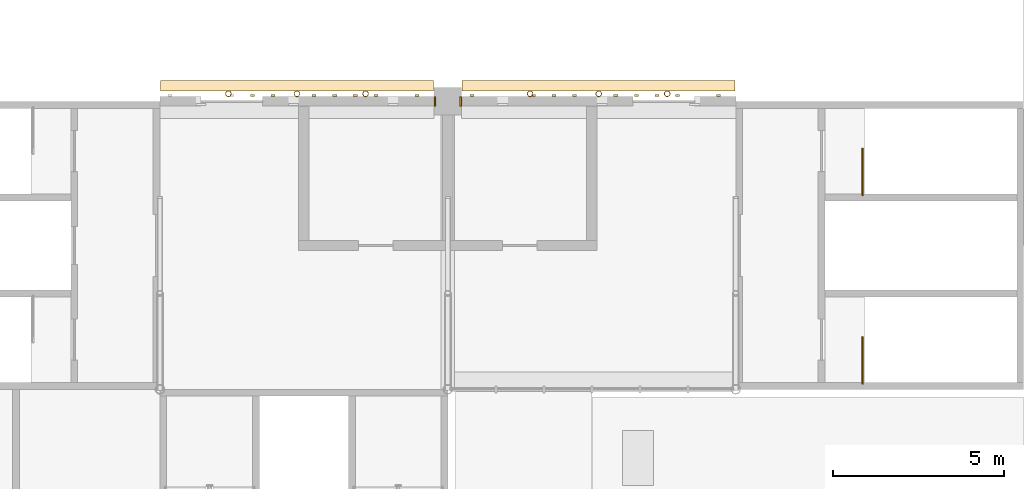
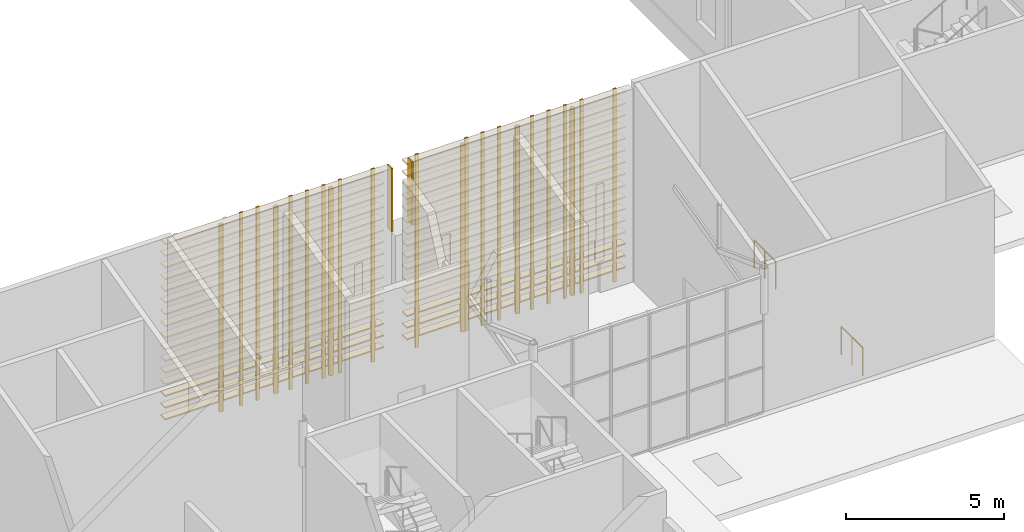
# One storey, part 80 of 101: 34 coverings, 22 shading devices, 2 railings.
"""IFC4 building model written with IfcOpenShell, lengths in metres."""

from ifc_helpers import new_model, si_unit, direction, frame, origin, origin_2d, place, context, subcontext, project, spatial, rectangle, circle, hollow_circle, extrude, material, layer, layer_set, material_profile, profile_set, type_object, element, save


model = new_model("IFC4")

# Units and contexts
model_context = context("Model", 3, precision=1e-05, world=origin(), true_north=direction((0.0, 1.0)))
body_context = subcontext(model_context, "Body", "Model", "MODEL_VIEW")
ifc_project = project(units=[si_unit("LENGTHUNIT", "METRE"), si_unit("AREAUNIT", "SQUARE_METRE"), si_unit("VOLUMEUNIT", "CUBIC_METRE"), si_unit("PLANEANGLEUNIT", "RADIAN"), si_unit("MASSUNIT", "GRAM", prefix="KILO")], contexts=[model_context])

# Site, building, storey
site_placement = place(None, origin())
site = spatial("IfcSite", under=ifc_project, at=site_placement, CompositionType="ELEMENT")
building_placement = place(site_placement, origin())
building = spatial("IfcBuilding", under=site, at=building_placement, Name="Almond Square Museum", CompositionType="ELEMENT")
storey_placement = place(building_placement, frame((0.0, 0.0, 5.5)))
storey = spatial("IfcBuildingStorey", under=building, at=storey_placement, Name="L01", CompositionType="ELEMENT", Elevation=5.5)

# Shading devices
ifc_material_1 = material(Name="Structural steel S355", Category="steel")
ifc_material_profile_1 = material_profile(ifc_material_1, hollow_circle(Radius=0.084228515625, WallThickness=0.008056640625, at=origin_2d()))
ifc_profile_set_1 = profile_set([ifc_material_profile_1], Name="Structural steel S355")
shading_device_type_1 = type_object("IfcShadingDeviceType", Name="Louvre post CHS 168.3 x 8", PredefinedType="USERDEFINED", material=ifc_profile_set_1)
for number, where, z_axis, x_axis, name in (
    (1, (25.199951171875, 84.22412109375, 0.0), (0.0, 0.0, 1.0), (1.0, 0.0, 0.0), "Louvre screen post"),
    (2, (27.199951171875, 84.22412109375, 0.0), (0.0, 0.0, 1.0), (1.0, 0.0, 0.0), "Louvre screen post"),
    (3, (29.199951171875, 84.22412109375, 0.0), (0.0, 0.0, 1.0), (1.0, 0.0, 0.0), "Louvre screen post"),
    (4, (16.39990234375, 84.22412109375, 0.0), (0.0, 0.0, 1.0), (1.0, 0.0, 0.0), "Louvre screen post"),
    (5, (18.39990234375, 84.22412109375, 0.0), (0.0, 0.0, 1.0), (1.0, 0.0, 0.0), "Louvre screen post"),
    (6, (20.39990234375, 84.22412109375, 0.0), (0.0, 0.0, 1.0), (1.0, 0.0, 0.0), "Louvre screen post"),
):
    element("IfcShadingDevice", number, at=place(storey_placement, frame(where, z_axis=z_axis, x_axis=x_axis)), inside=storey, type_object=shading_device_type_1, Name=name, ObjectType="POST", PredefinedType="USERDEFINED", context=body_context, shape_type="SweptSolid", body=[
        extrude(hollow_circle(Radius=0.084228515625, WallThickness=0.008056640625, at=origin_2d()), origin(), (0.0, 0.0, 1.0), 7.194091796875),
    ])

# Coverings
ifc_material_2 = material(Name="Cedar timber louvre board", Category="wood")
ifc_material_profile_2 = material_profile(ifc_material_2, rectangle(XDim=0.300048828125, YDim=0.050048828125, at=origin_2d()))
ifc_profile_set_2 = profile_set([ifc_material_profile_2], Name="Cedar timber louvre board")
covering_type_1 = type_object("IfcCoveringType", Name="Louvre screen board 300 x 50", PredefinedType="CLADDING", material=ifc_profile_set_2)
for number, where, z_axis, x_axis, name in (
    (7, (23.219970703125, 84.454345703125, 0.300048828125), (1.0, 0.0, 0.0), (0.0, 1.0, 0.0), "Louvre screen board"),
    (8, (23.219970703125, 84.454345703125, 0.75), (1.0, 0.0, 0.0), (0.0, 1.0, 0.0), "Louvre screen board"),
    (9, (23.219970703125, 84.454345703125, 1.199951171875), (1.0, 0.0, 0.0), (0.0, 1.0, 0.0), "Louvre screen board"),
    (10, (23.219970703125, 84.454345703125, 1.64990234375), (1.0, 0.0, 0.0), (0.0, 1.0, 0.0), "Louvre screen board"),
    (11, (23.219970703125, 84.454345703125, 2.10009765625), (1.0, 0.0, 0.0), (0.0, 1.0, 0.0), "Louvre screen board"),
    (12, (23.219970703125, 84.454345703125, 2.550048828125), (1.0, 0.0, 0.0), (0.0, 1.0, 0.0), "Louvre screen board"),
    (13, (23.219970703125, 84.454345703125, 3.0), (1.0, 0.0, 0.0), (0.0, 1.0, 0.0), "Louvre screen board"),
    (14, (23.219970703125, 84.454345703125, 3.449951171875), (1.0, 0.0, 0.0), (0.0, 1.0, 0.0), "Louvre screen board"),
    (15, (23.219970703125, 84.454345703125, 3.89990234375), (1.0, 0.0, 0.0), (0.0, 1.0, 0.0), "Louvre screen board"),
    (16, (23.219970703125, 84.454345703125, 4.35009765625), (1.0, 0.0, 0.0), (0.0, 1.0, 0.0), "Louvre screen board"),
    (17, (23.219970703125, 84.454345703125, 4.800048828125), (1.0, 0.0, 0.0), (0.0, 1.0, 0.0), "Louvre screen board"),
    (18, (23.219970703125, 84.454345703125, 5.25), (1.0, 0.0, 0.0), (0.0, 1.0, 0.0), "Louvre screen board"),
    (19, (23.219970703125, 84.454345703125, 5.699951171875), (1.0, 0.0, 0.0), (0.0, 1.0, 0.0), "Louvre screen board"),
    (20, (23.219970703125, 84.454345703125, 6.14990234375), (1.0, 0.0, 0.0), (0.0, 1.0, 0.0), "Louvre screen board"),
    (21, (23.219970703125, 84.454345703125, 6.60009765625), (1.0, 0.0, 0.0), (0.0, 1.0, 0.0), "Louvre screen board"),
    (22, (23.219970703125, 84.454345703125, 7.050048828125), (1.0, 0.0, 0.0), (0.0, 1.0, 0.0), "Louvre screen board"),
    (23, (14.419921875, 84.454345703125, 0.300048828125), (1.0, 0.0, 0.0), (0.0, 1.0, 0.0), "Louvre screen board"),
    (24, (14.419921875, 84.454345703125, 0.75), (1.0, 0.0, 0.0), (0.0, 1.0, 0.0), "Louvre screen board"),
    (25, (14.419921875, 84.454345703125, 1.199951171875), (1.0, 0.0, 0.0), (0.0, 1.0, 0.0), "Louvre screen board"),
    (26, (14.419921875, 84.454345703125, 1.64990234375), (1.0, 0.0, 0.0), (0.0, 1.0, 0.0), "Louvre screen board"),
    (27, (14.419921875, 84.454345703125, 2.10009765625), (1.0, 0.0, 0.0), (0.0, 1.0, 0.0), "Louvre screen board"),
    (28, (14.419921875, 84.454345703125, 2.550048828125), (1.0, 0.0, 0.0), (0.0, 1.0, 0.0), "Louvre screen board"),
    (29, (14.419921875, 84.454345703125, 3.0), (1.0, 0.0, 0.0), (0.0, 1.0, 0.0), "Louvre screen board"),
    (30, (14.419921875, 84.454345703125, 3.449951171875), (1.0, 0.0, 0.0), (0.0, 1.0, 0.0), "Louvre screen board"),
    (31, (14.419921875, 84.454345703125, 3.89990234375), (1.0, 0.0, 0.0), (0.0, 1.0, 0.0), "Louvre screen board"),
    (32, (14.419921875, 84.454345703125, 4.35009765625), (1.0, 0.0, 0.0), (0.0, 1.0, 0.0), "Louvre screen board"),
    (33, (14.419921875, 84.454345703125, 4.800048828125), (1.0, 0.0, 0.0), (0.0, 1.0, 0.0), "Louvre screen board"),
    (34, (14.419921875, 84.454345703125, 5.25), (1.0, 0.0, 0.0), (0.0, 1.0, 0.0), "Louvre screen board"),
    (35, (14.419921875, 84.454345703125, 5.699951171875), (1.0, 0.0, 0.0), (0.0, 1.0, 0.0), "Louvre screen board"),
    (36, (14.419921875, 84.454345703125, 6.14990234375), (1.0, 0.0, 0.0), (0.0, 1.0, 0.0), "Louvre screen board"),
    (37, (14.419921875, 84.454345703125, 6.60009765625), (1.0, 0.0, 0.0), (0.0, 1.0, 0.0), "Louvre screen board"),
    (38, (14.419921875, 84.454345703125, 7.050048828125), (1.0, 0.0, 0.0), (0.0, 1.0, 0.0), "Louvre screen board"),
):
    element("IfcCovering", number, at=place(storey_placement, frame(where, z_axis=z_axis, x_axis=x_axis)), inside=storey, type_object=covering_type_1, Name=name, PredefinedType="CLADDING", context=body_context, shape_type="SweptSolid", body=[
        extrude(rectangle(XDim=0.300048828125, YDim=0.050048828125, at=origin_2d()), origin(), (0.0, 0.0, 1.0), 7.9599609375),
    ])

# Railings
ifc_material_3 = material(Name="Stainless steel and laminated glass", Category="steel")
railing_type = type_object("IfcRailingType", Name="Stair guard 1100 steel and glass", PredefinedType="GUARDRAIL", material=ifc_material_3)
for number, where, name in (
    (39, (34.89990234375, 75.77001953125, 0.0), "L01 ST-15 top well guard 1"),
    (40, (34.89990234375, 81.27001953125, 0.0), "L01 ST-16 top well guard 1"),
):
    element("IfcRailing", number, at=place(storey_placement, frame(where)), inside=storey, type_object=railing_type, Name=name, PredefinedType="GUARDRAIL", context=body_context, shape_type="SweptSolid", body=[
        extrude(circle(Radius=0.02392578125, at=origin_2d()), frame((0.0, 0.0, 1.076171875), z_axis=(0.0, 1.0, 0.0), x_axis=(-1.0, 0.0, 0.0)), (0.0, 0.0, 1.0), 1.35009765625),
        extrude(circle(Radius=0.02099609375, at=origin_2d()), origin(), (0.0, 0.0, 1.0), 1.052001953125),
        extrude(circle(Radius=0.02099609375, at=origin_2d()), frame((0.0, 0.675048828125, 0.0)), (0.0, 0.0, 1.0), 1.052001953125),
        extrude(circle(Radius=0.02099609375, at=origin_2d()), frame((0.0, 1.35009765625, 0.0)), (0.0, 0.0, 1.0), 1.052001953125),
    ])

# Shading devices
ifc_material_4 = material(Name="Cedar timber batten", Category="wood")
ifc_material_profile_3 = material_profile(ifc_material_4, rectangle(XDim=0.06005859375, YDim=0.1201171875, at=origin_2d()))
ifc_profile_set_3 = profile_set([ifc_material_profile_3], Name="Cedar timber batten")
shading_device_type_2 = type_object("IfcShadingDeviceType", Name="Vertical timber batten 60 x 120", PredefinedType="USERDEFINED", material=ifc_profile_set_3)
for number, where, z_axis, x_axis, name in (
    (41, (23.5, 84.16796875, 0.0), (0.0, 0.0, 1.0), (0.0, 1.0, 0.0), "Timber batten"),
    (42, (25.300048828125, 84.16796875, 0.0), (0.0, 0.0, 1.0), (0.0, 1.0, 0.0), "Timber batten"),
    (43, (25.89990234375, 84.16796875, 0.0), (0.0, 0.0, 1.0), (0.0, 1.0, 0.0), "Timber batten"),
    (44, (26.5, 84.16796875, 0.0), (0.0, 0.0, 1.0), (0.0, 1.0, 0.0), "Timber batten"),
    (45, (27.699951171875, 84.16796875, 0.0), (0.0, 0.0, 1.0), (0.0, 1.0, 0.0), "Timber batten"),
    (46, (28.300048828125, 84.16796875, 0.0), (0.0, 0.0, 1.0), (0.0, 1.0, 0.0), "Timber batten"),
    (47, (28.89990234375, 84.16796875, 0.0), (0.0, 0.0, 1.0), (0.0, 1.0, 0.0), "Timber batten"),
    (48, (29.5, 84.16796875, 0.0), (0.0, 0.0, 1.0), (0.0, 1.0, 0.0), "Timber batten"),
    (49, (30.699951171875, 84.16796875, 0.0), (0.0, 0.0, 1.0), (0.0, 1.0, 0.0), "Timber batten"),
    (50, (17.10009765625, 84.16796875, 0.0), (0.0, 0.0, 1.0), (0.0, 1.0, 0.0), "Timber batten"),
    (51, (17.699951171875, 84.16796875, 0.0), (0.0, 0.0, 1.0), (0.0, 1.0, 0.0), "Timber batten"),
    (52, (18.89990234375, 84.16796875, 0.0), (0.0, 0.0, 1.0), (0.0, 1.0, 0.0), "Timber batten"),
    (53, (19.5, 84.16796875, 0.0), (0.0, 0.0, 1.0), (0.0, 1.0, 0.0), "Timber batten"),
    (54, (20.10009765625, 84.16796875, 0.0), (0.0, 0.0, 1.0), (0.0, 1.0, 0.0), "Timber batten"),
    (55, (20.699951171875, 84.16796875, 0.0), (0.0, 0.0, 1.0), (0.0, 1.0, 0.0), "Timber batten"),
    (56, (21.89990234375, 84.16796875, 0.0), (0.0, 0.0, 1.0), (0.0, 1.0, 0.0), "Timber batten"),
):
    element("IfcShadingDevice", number, at=place(storey_placement, frame(where, z_axis=z_axis, x_axis=x_axis)), inside=storey, type_object=shading_device_type_2, Name=name, ObjectType="FIN", PredefinedType="USERDEFINED", context=body_context, shape_type="SweptSolid", body=[
        extrude(rectangle(XDim=0.06005859375, YDim=0.1201171875, at=origin_2d()), origin(), (0.0, 0.0, 1.0), 7.444091796875),
    ])

# Coverings
ifc_material_5 = material(Name="Cladding panel to match the wall")
ifc_layer = layer(ifc_material_5, 0.050048828125)
ifc_layer_set = layer_set([ifc_layer], Name="Cladding panel to match the wall")
covering_type_2 = type_object("IfcCoveringType", Name="Wall end closure panel", PredefinedType="CLADDING", material=ifc_layer_set)
for number, where, z_axis, x_axis, name in (
    (57, (23.175048828125, 84.0, 5.0), (0.0, 0.0, 1.0), (1.0, 0.0, 0.0), "Wall end closure panel"),
    (58, (22.425048828125, 84.0, 5.0), (0.0, 0.0, 1.0), (1.0, 0.0, 0.0), "Wall end closure panel"),
):
    element("IfcCovering", number, at=place(storey_placement, frame(where, z_axis=z_axis, x_axis=x_axis)), inside=storey, type_object=covering_type_2, Name=name, PredefinedType="CLADDING", context=body_context, shape_type="SweptSolid", body=[
        extrude(rectangle(XDim=0.050048828125, YDim=0.280029296875, at=origin_2d()), origin(), (0.0, 0.0, 1.0), 2.444091796875),
    ])

save(model, "model.ifc")
